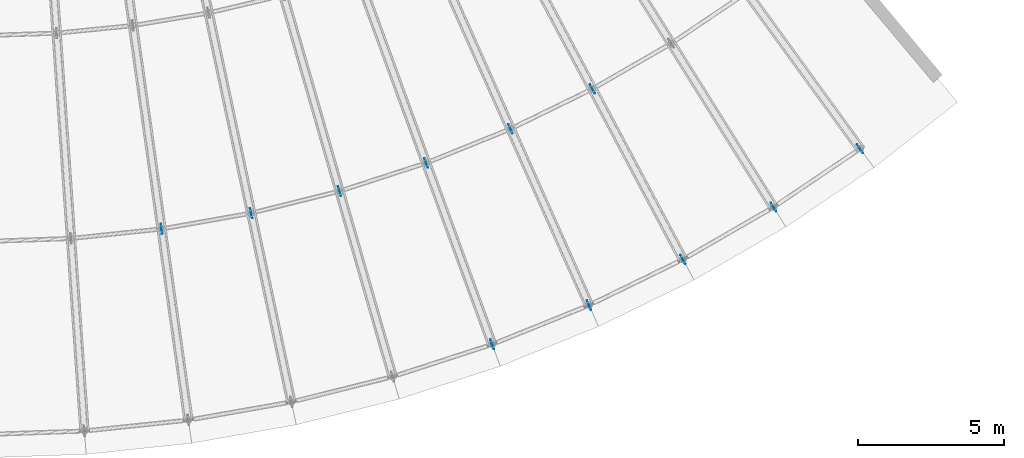
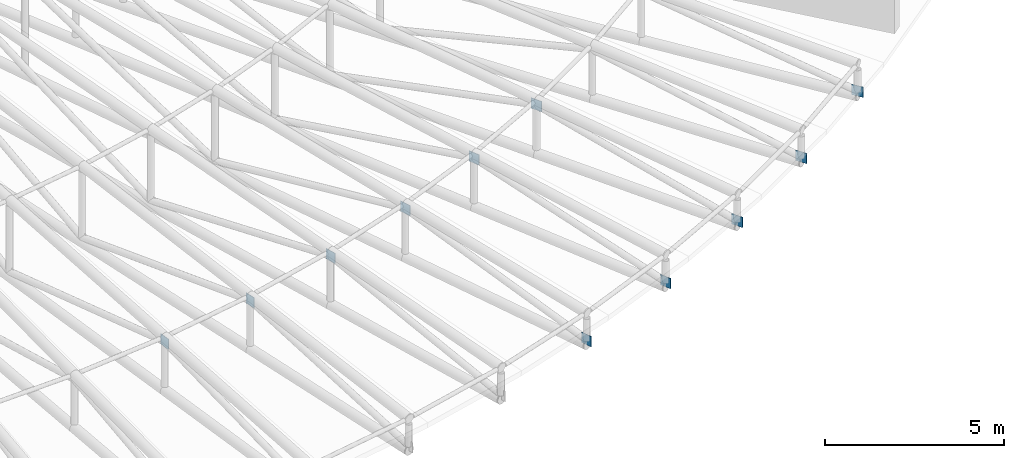
# One storey, part 131 of 163: 11 discrete accessories.
"""IFC4 building model written with IfcOpenShell, lengths in metres."""

from ifc_helpers import new_model, si_unit, direction, frame, origin, origin_2d, place, context, subcontext, project, spatial, rectangle, extrude, material, layer, layer_set, type_object, element, save


model = new_model("IFC4")

# Units and contexts
model_context = context("Model", 3, precision=1e-05, world=origin(), true_north=direction((0.0, 1.0)))
body_context = subcontext(model_context, "Body", "Model", "MODEL_VIEW")
ifc_project = project(units=[si_unit("LENGTHUNIT", "METRE"), si_unit("AREAUNIT", "SQUARE_METRE"), si_unit("VOLUMEUNIT", "CUBIC_METRE"), si_unit("PLANEANGLEUNIT", "RADIAN"), si_unit("MASSUNIT", "GRAM", prefix="KILO")], contexts=[model_context])

# Site, building, storey
site_placement = place(None, origin())
site = spatial("IfcSite", under=ifc_project, at=site_placement, CompositionType="ELEMENT")
building_placement = place(site_placement, origin())
building = spatial("IfcBuilding", under=site, at=building_placement, Name="Rain Tree Exposition and Congress Centre", CompositionType="ELEMENT")
storey_placement = place(building_placement, frame((0.0, 0.0, 10.5)))
storey = spatial("IfcBuildingStorey", under=building, at=storey_placement, Name="L02", CompositionType="ELEMENT", Elevation=10.5)

# Discrete accessories
ifc_material = material(Name="Steel plate S355J2", Category="steel")
ifc_layer = layer(ifc_material, 0.02001953125)
ifc_layer_set = layer_set([ifc_layer], Name="Steel plate S355J2")
discrete_accessory_type = type_object("IfcDiscreteAccessoryType", Name="Brace node plate 350x350x20", PredefinedType="BRACKET", material=ifc_layer_set)
for number, where, z_axis, x_axis, name in (
    (1, (207.80712890625, 23.033935546875, 1.635498046875), (0.0, 0.0, 1.0), (-0.13917310096, 0.990268068742, 0.0), "Brace node plate 350"),
    (2, (210.872802734375, 23.57470703125, 1.635498046875), (0.0, 0.0, 1.0), (-0.207911690818, 0.978147600734, 0.0), "Brace node plate 350"),
    (3, (213.893310546875, 24.32763671875, 1.635498046875), (0.0, 0.0, 1.0), (-0.275637355817, 0.961261695938, 0.0), "Brace node plate 350"),
    (4, (219.111328125, 19.087646484375, 0.1435546875), (0.0, 0.0, 1.0), (-0.342020143326, 0.939692620786, 0.0), "Brace node plate 350"),
    (5, (216.85400390625, 25.289794921875, 1.635498046875), (0.0, 0.0, 1.0), (-0.342020143326, 0.939692620786, 0.0), "Brace node plate 350"),
    (6, (222.4248046875, 20.426513671875, 0.1435546875), (0.0, 0.0, 1.0), (-0.406736643076, 0.913545457643, 0.0), "Brace node plate 350"),
    (7, (219.740478515625, 26.455810546875, 1.635498046875), (0.0, 0.0, 1.0), (-0.406736643076, 0.913545457643, 0.0), "Brace node plate 350"),
    (8, (225.636962890625, 21.9931640625, 0.1435546875), (0.0, 0.0, 1.0), (-0.469471562786, 0.882947592859, 0.0), "Brace node plate 350"),
    (9, (222.538330078125, 27.820556640625, 1.635498046875), (0.0, 0.0, 1.0), (-0.469471562786, 0.882947592859, 0.0), "Brace node plate 350"),
    (10, (228.73193359375, 23.77978515625, 0.1435546875), (0.0, 0.0, 1.0), (-0.529919264233, 0.848048096156, 0.0), "Brace node plate 350"),
    (11, (231.694580078125, 25.7783203125, 0.1435546875), (0.0, 0.0, 1.0), (-0.587785252292, 0.809016994375, 0.0), "Brace node plate 350"),
):
    element("IfcDiscreteAccessory", number, at=place(storey_placement, frame(where, z_axis=z_axis, x_axis=x_axis)), inside=storey, type_object=discrete_accessory_type, Name=name, PredefinedType="BRACKET", context=body_context, shape_type="SweptSolid", body=[
        extrude(rectangle(XDim=0.35009765625, YDim=0.02001953125, at=origin_2d()), origin(), (0.0, 0.0, 1.0), 0.35009765625),
    ])

save(model, "model.ifc")
